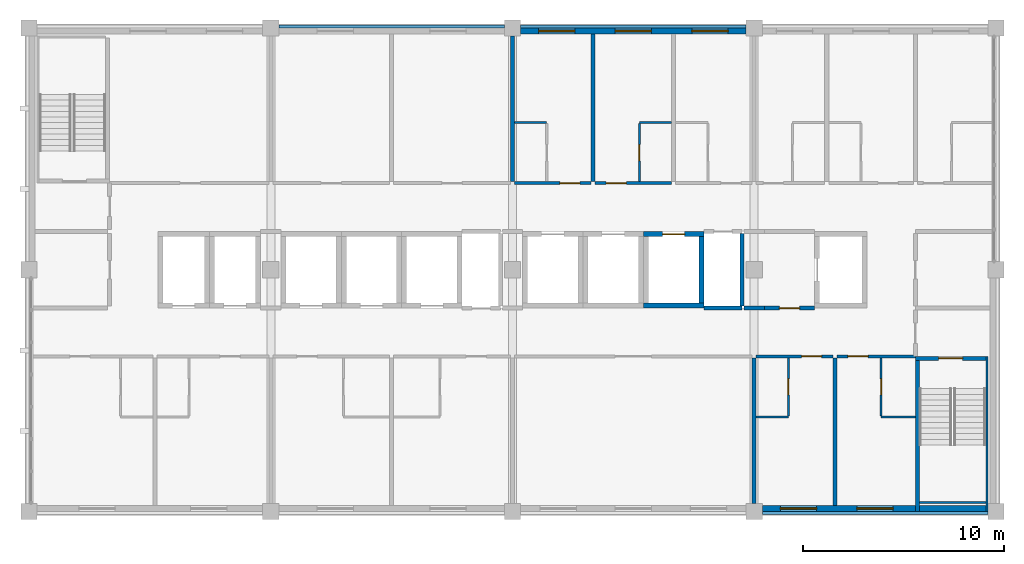
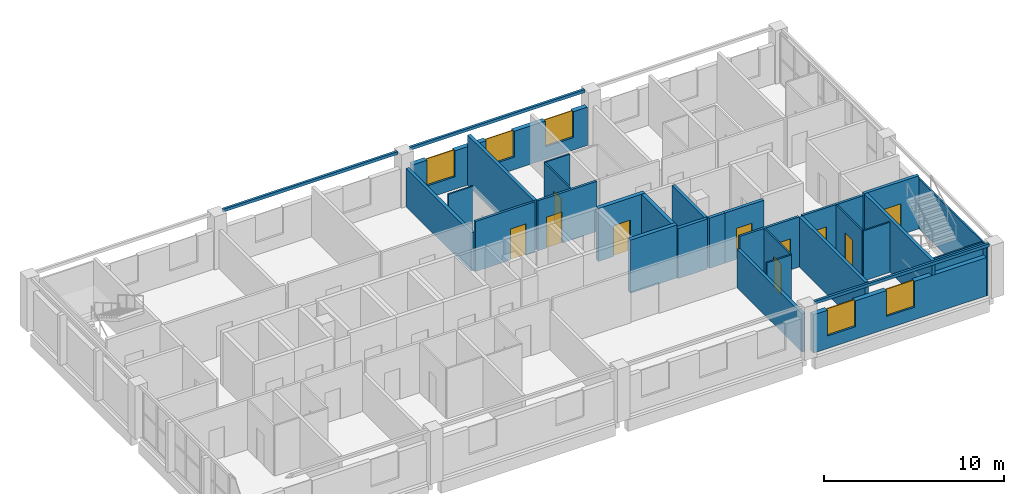
# One storey, part 8 of 11: 31 walls, 10 doors, 5 windows, 15 openings.
"""IFC4 building model written with IfcOpenShell, lengths in metres."""

from ifc_helpers import new_model, si_unit, direction, frame, frame_2d, origin, place, context, subcontext, project, spatial, rectangle, extrude, material, layer, layer_set, type_object, element, fill, save


model = new_model("IFC4")

# Units and contexts
model_context = context("Model", 3, precision=1e-05, world=origin(), true_north=direction((0.0, 1.0)))
body_context = subcontext(model_context, "Body", "Model", "MODEL_VIEW")
ifc_project = project(units=[si_unit("LENGTHUNIT", "METRE"), si_unit("AREAUNIT", "SQUARE_METRE"), si_unit("VOLUMEUNIT", "CUBIC_METRE"), si_unit("PLANEANGLEUNIT", "RADIAN"), si_unit("MASSUNIT", "GRAM", prefix="KILO")], contexts=[model_context])

# Site, building, storey
site_placement = place(None, origin())
site = spatial("IfcSite", under=ifc_project, at=site_placement, CompositionType="ELEMENT")
building_placement = place(site_placement, origin())
building = spatial("IfcBuilding", under=site, at=building_placement, Name="Lilac Gate Convention Centre", CompositionType="ELEMENT")
storey_placement = place(building_placement, frame((0.0, 0.0, 39.0)))
storey = spatial("IfcBuildingStorey", under=building, at=storey_placement, Name="L09", CompositionType="ELEMENT", Elevation=39.0)

# Walls
ifc_material_1 = material(Name="Concrete C50", Category="concrete")
ifc_layer_1 = layer(ifc_material_1, 0.10009765625)
ifc_layer_set_1 = layer_set([ifc_layer_1], Name="Concrete C50")
wall_type_1 = type_object("IfcWallType", Name="Core wall 100 C50", PredefinedType="SHEAR", material=ifc_layer_set_1)
wall_1_placement = place(storey_placement, frame((89.550048828125, 229.699951171875, 0.0), z_axis=(0.0, 0.0, 1.0), x_axis=(0.0, -1.0, 0.0)))
element("IfcWall", 1, at=wall_1_placement, inside=storey, type_object=wall_type_1, Name="CRW9 core wall TS-EX L09 1", PredefinedType="SHEAR", context=body_context, shape_type="SweptSolid", body=[
    extrude(rectangle(XDim=7.699951171875, YDim=0.10009765625, at=frame_2d((3.85009765625, 0.0))), origin(), (0.0, 0.0, 1.0), 3.39990234375),
])
wall_2_placement = place(storey_placement, frame((89.5, 222.449951171875, 0.0), z_axis=(0.0, 0.0, 1.0), x_axis=(-1.0, 0.0, 0.0)))
element("IfcWall", 2, at=wall_2_placement, inside=storey, type_object=wall_type_1, Name="CRW9 core wall TS-EX L09 2", PredefinedType="SHEAR", context=body_context, shape_type="SweptSolid", body=[
    extrude(rectangle(XDim=3.300048828125, YDim=0.10009765625, at=frame_2d((1.64990234375, 0.0))), origin(), (0.0, 0.0, 1.0), 3.39990234375),
])

# Wall, opening, door
ifc_layer_2 = layer(ifc_material_1, 0.199951171875)
ifc_layer_set_2 = layer_set([ifc_layer_2], Name="Concrete C50")
wall_type_2 = type_object("IfcWallType", Name="Core wall 200 C50", PredefinedType="SHEAR", material=ifc_layer_set_2)
wall_3_placement = place(storey_placement, frame((89.5, 229.60009765625, 0.0), z_axis=(0.0, 0.0, 1.0), x_axis=(-1.0, 0.0, 0.0)))
wall_3 = element("IfcWall", 3, at=wall_3_placement, inside=storey, type_object=wall_type_2, Name="CRW6 core wall TS-E L09 1", PredefinedType="SHEAR", context=body_context, shape_type="SweptSolid", body=[
    extrude(rectangle(XDim=3.5, YDim=0.199951171875, at=frame_2d((1.75, 0.0))), origin(), (0.0, 0.0, 1.0), 3.60009765625),
])
opening_1_placement = place(wall_3_placement, frame((1.14990234375, 0.0, 0.0)))
opening_1 = element("IfcOpeningElement", 4, at=opening_1_placement, cuts=wall_3, Name="Opening T07-046", PredefinedType="OPENING", context=body_context, shape_type="SweptSolid", body=[
    extrude(rectangle(XDim=1.199951171875, YDim=2.10009765625, at=frame_2d((0.60009765625, 1.050048828125))), frame((0.0, 0.10986328125, 0.0), z_axis=(0.0, -1.0, 0.0), x_axis=(1.0, 0.0, 0.0)), (0.0, 0.0, 1.0), 0.219970703125),
])
ifc_material_2 = material(Name="Steel Q235B", Category="steel")
door_type_1 = type_object("IfcDoorType", Name="Stair door 1200", OperationType="SINGLE_SWING_LEFT", PredefinedType="DOOR", material=ifc_material_2)
door_1_placement = place(opening_1_placement, origin())
door_1 = element("IfcDoor", 5, at=door_1_placement, inside=storey, type_object=door_type_1, Name="Stair door SE L09", OperationType="SINGLE_SWING_RIGHT", OverallHeight=2.10009765625, OverallWidth=1.199951171875, PredefinedType="DOOR", context=body_context, shape_type="SweptSolid", body=[
    extrude(rectangle(XDim=1.199951171875, YDim=2.10009765625, at=frame_2d((0.60009765625, 1.050048828125))), frame((0.0, 0.02490234375, 0.0), z_axis=(0.0, -1.0, 0.0), x_axis=(1.0, 0.0, 0.0)), (0.0, 0.0, 1.0), 0.050048828125),
])
fill(opening_1, door_1)

# Walls
wall_4_placement = place(storey_placement, frame((86.10009765625, 222.0, 0.0), z_axis=(0.0, 0.0, 1.0), x_axis=(0.0, 1.0, 0.0)))
element("IfcWall", 6, at=wall_4_placement, inside=storey, type_object=wall_type_2, Name="CRW6 core wall TS-E L09 2", PredefinedType="SHEAR", context=body_context, shape_type="SweptSolid", body=[
    extrude(rectangle(XDim=7.5, YDim=0.199951171875, at=frame_2d((3.75, 0.0))), origin(), (0.0, 0.0, 1.0), 3.60009765625),
])
ifc_layer_3 = layer(ifc_material_1, 0.25)
ifc_layer_set_3 = layer_set([ifc_layer_3], Name="Concrete C50")
wall_type_3 = type_object("IfcWallType", Name="Core wall 250 C50", PredefinedType="SHEAR", material=ifc_layer_set_3)
wall_5_placement = place(storey_placement, frame((72.5, 232.22509765625, 0.0), z_axis=(0.0, 0.0, 1.0), x_axis=(1.0, 0.0, 0.0)))
element("IfcWall", 7, at=wall_5_placement, inside=storey, type_object=wall_type_3, Name="CRW4 core wall TC L09 21", PredefinedType="SHEAR", context=body_context, shape_type="SweptSolid", body=[
    extrude(rectangle(XDim=3.0, YDim=0.25, at=frame_2d((1.5, 0.0))), origin(), (0.0, 0.0, 1.0), 3.60009765625),
])

# Wall, opening, door
wall_6_placement = place(storey_placement, frame((72.5, 235.77490234375, 0.0), z_axis=(0.0, 0.0, 1.0), x_axis=(1.0, 0.0, 0.0)))
wall_6 = element("IfcWall", 8, at=wall_6_placement, inside=storey, type_object=wall_type_3, Name="CRW4 core wall TC L09 22", PredefinedType="SHEAR", context=body_context, shape_type="SweptSolid", body=[
    extrude(rectangle(XDim=3.0, YDim=0.25, at=frame_2d((1.5, 0.0))), origin(), (0.0, 0.0, 1.0), 3.60009765625),
])
opening_2_placement = place(wall_6_placement, frame((0.949951171875, 0.0, 0.0)))
opening_2 = element("IfcOpeningElement", 9, at=opening_2_placement, cuts=wall_6, Name="Opening T07-041", PredefinedType="OPENING", context=body_context, shape_type="SweptSolid", body=[
    extrude(rectangle(XDim=1.10009765625, YDim=2.10009765625, at=frame_2d((0.550048828125, 1.050048828125))), frame((0.0, 0.135009765625, 0.0), z_axis=(0.0, -1.0, 0.0), x_axis=(1.0, 0.0, 0.0)), (0.0, 0.0, 1.0), 0.27001953125),
])
ifc_material_3 = material(Name="Stainless steel 304", Category="steel")
door_type_2 = type_object("IfcDoorType", Name="Lift landing door 1100", OperationType="SLIDING_TO_LEFT", PredefinedType="DOOR", material=ifc_material_3)
door_2_placement = place(opening_2_placement, origin())
door_2 = element("IfcDoor", 10, at=door_2_placement, inside=storey, type_object=door_type_2, Name="Lift landing door TP6 L09", OperationType="SLIDING_TO_LEFT", OverallHeight=2.10009765625, OverallWidth=1.10009765625, PredefinedType="DOOR", context=body_context, shape_type="SweptSolid", body=[
    extrude(rectangle(XDim=1.10009765625, YDim=2.10009765625, at=frame_2d((0.550048828125, 1.050048828125))), frame((0.0, 0.02490234375, 0.0), z_axis=(0.0, -1.0, 0.0), x_axis=(1.0, 0.0, 0.0)), (0.0, 0.0, 1.0), 0.050048828125),
])
fill(opening_2, door_2)

# Wall
wall_7_placement = place(storey_placement, frame((75.375, 232.35009765625, 0.0), z_axis=(0.0, 0.0, 1.0), x_axis=(0.0, 1.0, 0.0)))
element("IfcWall", 11, at=wall_7_placement, inside=storey, type_object=wall_type_3, Name="CRW4 core wall TC L09 24", PredefinedType="SHEAR", context=body_context, shape_type="SweptSolid", body=[
    extrude(rectangle(XDim=3.2998046875, YDim=0.25, at=frame_2d((1.64990234375, 0.0))), origin(), (0.0, 0.0, 1.0), 3.60009765625),
])

# Wall, opening, door
ifc_material_4 = material(Name="Gypsum board on steel stud", Category="steel")
ifc_layer_4 = layer(ifc_material_4, 0.14990234375)
ifc_layer_set_4 = layer_set([ifc_layer_4], Name="Gypsum board on steel stud")
wall_type_4 = type_object("IfcWallType", Name="Corridor wall 150", PredefinedType="PARTITIONING", material=ifc_layer_set_4)
wall_8_placement = place(storey_placement, frame((81.89990234375, 229.699951171875, 0.0), z_axis=(0.0, 0.0, 1.0), x_axis=(-1.0, 0.0, 0.0)))
wall_8 = element("IfcWall", 12, at=wall_8_placement, inside=storey, type_object=wall_type_4, Name="Corridor wall 150 front 0906", PredefinedType="PARTITIONING", context=body_context, shape_type="SweptSolid", body=[
    extrude(rectangle(XDim=3.7998046875, YDim=0.14990234375, at=frame_2d((1.89990234375, 0.0))), origin(), (0.0, 0.0, 1.0), 3.39990234375),
])
opening_3_placement = place(wall_8_placement, frame((0.550048828125, 0.0, 0.0)))
opening_3 = element("IfcOpeningElement", 13, at=opening_3_placement, cuts=wall_8, Name="Opening T07-017", PredefinedType="OPENING", context=body_context, shape_type="SweptSolid", body=[
    extrude(rectangle(XDim=1.0, YDim=2.10009765625, at=frame_2d((0.5, 1.050048828125))), frame((0.0, 0.0849609375, 0.0), z_axis=(0.0, -1.0, 0.0), x_axis=(1.0, 0.0, 0.0)), (0.0, 0.0, 1.0), 0.169921875),
])
ifc_material_5 = material(Name="Timber", Category="wood")
door_type_3 = type_object("IfcDoorType", Name="Guest room entrance door 1000", OperationType="SINGLE_SWING_LEFT", PredefinedType="DOOR", material=ifc_material_5)
door_3_placement = place(opening_3_placement, origin())
door_3 = element("IfcDoor", 14, at=door_3_placement, inside=storey, type_object=door_type_3, Name="Guest room door 0906", OperationType="SINGLE_SWING_LEFT", OverallHeight=2.10009765625, OverallWidth=1.0, PredefinedType="DOOR", context=body_context, shape_type="SweptSolid", body=[
    extrude(rectangle(XDim=1.0, YDim=2.10009765625, at=frame_2d((0.5, 1.050048828125))), frame((0.0, 0.02490234375, 0.0), z_axis=(0.0, -1.0, 0.0), x_axis=(1.0, 0.0, 0.0)), (0.0, 0.0, 1.0), 0.050048828125),
])
fill(opening_3, door_3)

wall_9_placement = place(storey_placement, frame((86.0, 229.699951171875, 0.0), z_axis=(0.0, 0.0, 1.0), x_axis=(-1.0, 0.0, 0.0)))
wall_9 = element("IfcWall", 15, at=wall_9_placement, inside=storey, type_object=wall_type_4, Name="Corridor wall 150 front 0907", PredefinedType="PARTITIONING", context=body_context, shape_type="SweptSolid", body=[
    extrude(rectangle(XDim=3.89990234375, YDim=0.14990234375, at=frame_2d((1.949951171875, 0.0))), origin(), (0.0, 0.0, 1.0), 3.39990234375),
])
opening_4_placement = place(wall_9_placement, frame((2.35009765625, 0.0, 0.0)))
opening_4 = element("IfcOpeningElement", 16, at=opening_4_placement, cuts=wall_9, Name="Opening T07-019", PredefinedType="OPENING", context=body_context, shape_type="SweptSolid", body=[
    extrude(rectangle(XDim=1.0, YDim=2.10009765625, at=frame_2d((0.5, 1.050048828125))), frame((0.0, 0.0849609375, 0.0), z_axis=(0.0, -1.0, 0.0), x_axis=(1.0, 0.0, 0.0)), (0.0, 0.0, 1.0), 0.169921875),
])
door_4_placement = place(opening_4_placement, origin())
door_4 = element("IfcDoor", 17, at=door_4_placement, inside=storey, type_object=door_type_3, Name="Guest room door 0907", OperationType="SINGLE_SWING_LEFT", OverallHeight=2.10009765625, OverallWidth=1.0, PredefinedType="DOOR", context=body_context, shape_type="SweptSolid", body=[
    extrude(rectangle(XDim=1.0, YDim=2.10009765625, at=frame_2d((0.5, 1.050048828125))), frame((0.0, 0.02490234375, 0.0), z_axis=(0.0, -1.0, 0.0), x_axis=(1.0, 0.0, 0.0)), (0.0, 0.0, 1.0), 0.050048828125),
])
fill(opening_4, door_4)

wall_10_placement = place(storey_placement, frame((66.10009765625, 238.300048828125, 0.0), z_axis=(0.0, 0.0, 1.0), x_axis=(1.0, 0.0, 0.0)))
wall_10 = element("IfcWall", 18, at=wall_10_placement, inside=storey, type_object=wall_type_4, Name="Corridor wall 150 front 0911", PredefinedType="PARTITIONING", context=body_context, shape_type="SweptSolid", body=[
    extrude(rectangle(XDim=3.7998046875, YDim=0.14990234375, at=frame_2d((1.89990234375, 0.0))), origin(), (0.0, 0.0, 1.0), 3.39990234375),
])
opening_5_placement = place(wall_10_placement, frame((2.25, 0.0, 0.0)))
opening_5 = element("IfcOpeningElement", 19, at=opening_5_placement, cuts=wall_10, Name="Opening T07-024", PredefinedType="OPENING", context=body_context, shape_type="SweptSolid", body=[
    extrude(rectangle(XDim=1.0, YDim=2.10009765625, at=frame_2d((0.5, 1.050048828125))), frame((0.0, 0.0849609375, 0.0), z_axis=(0.0, -1.0, 0.0), x_axis=(1.0, 0.0, 0.0)), (0.0, 0.0, 1.0), 0.169921875),
])
door_5_placement = place(opening_5_placement, origin())
door_5 = element("IfcDoor", 20, at=door_5_placement, inside=storey, type_object=door_type_3, Name="Guest room door 0911", OperationType="SINGLE_SWING_LEFT", OverallHeight=2.10009765625, OverallWidth=1.0, PredefinedType="DOOR", context=body_context, shape_type="SweptSolid", body=[
    extrude(rectangle(XDim=1.0, YDim=2.10009765625, at=frame_2d((0.5, 1.050048828125))), frame((0.0, 0.02490234375, 0.0), z_axis=(0.0, -1.0, 0.0), x_axis=(1.0, 0.0, 0.0)), (0.0, 0.0, 1.0), 0.050048828125),
])
fill(opening_5, door_5)

wall_11_placement = place(storey_placement, frame((70.10009765625, 238.300048828125, 0.0), z_axis=(0.0, 0.0, 1.0), x_axis=(1.0, 0.0, 0.0)))
wall_11 = element("IfcWall", 21, at=wall_11_placement, inside=storey, type_object=wall_type_4, Name="Corridor wall 150 front 0912", PredefinedType="PARTITIONING", context=body_context, shape_type="SweptSolid", body=[
    extrude(rectangle(XDim=3.7998046875, YDim=0.14990234375, at=frame_2d((1.89990234375, 0.0))), origin(), (0.0, 0.0, 1.0), 3.39990234375),
])
opening_6_placement = place(wall_11_placement, frame((0.550048828125, 0.0, 0.0)))
opening_6 = element("IfcOpeningElement", 22, at=opening_6_placement, cuts=wall_11, Name="Opening T07-026", PredefinedType="OPENING", context=body_context, shape_type="SweptSolid", body=[
    extrude(rectangle(XDim=1.0, YDim=2.10009765625, at=frame_2d((0.5, 1.050048828125))), frame((0.0, 0.0849609375, 0.0), z_axis=(0.0, -1.0, 0.0), x_axis=(1.0, 0.0, 0.0)), (0.0, 0.0, 1.0), 0.169921875),
])
door_6_placement = place(opening_6_placement, origin())
door_6 = element("IfcDoor", 23, at=door_6_placement, inside=storey, type_object=door_type_3, Name="Guest room door 0912", OperationType="SINGLE_SWING_LEFT", OverallHeight=2.10009765625, OverallWidth=1.0, PredefinedType="DOOR", context=body_context, shape_type="SweptSolid", body=[
    extrude(rectangle(XDim=1.0, YDim=2.10009765625, at=frame_2d((0.5, 1.050048828125))), frame((0.0, 0.02490234375, 0.0), z_axis=(0.0, -1.0, 0.0), x_axis=(1.0, 0.0, 0.0)), (0.0, 0.0, 1.0), 0.050048828125),
])
fill(opening_6, door_6)

# Wall
ifc_layer_5 = layer(ifc_material_4, 0.10009765625)
ifc_layer_set_5 = layer_set([ifc_layer_5], Name="Gypsum board on steel stud")
wall_type_5 = type_object("IfcWallType", Name="En-suite wall 100", PredefinedType="PARTITIONING", material=ifc_layer_set_5)
wall_12_placement = place(storey_placement, frame((78.10009765625, 226.699951171875, 0.0), z_axis=(0.0, 0.0, 1.0), x_axis=(1.0, 0.0, 0.0)))
element("IfcWall", 24, at=wall_12_placement, inside=storey, type_object=wall_type_5, Name="En-suite wall 100 bath 0906", PredefinedType="PARTITIONING", context=body_context, shape_type="SweptSolid", body=[
    extrude(rectangle(XDim=1.599853515625, YDim=0.10009765625, at=frame_2d((0.7998046875, 0.0))), origin(), (0.0, 0.0, 1.0), 3.39990234375),
])

# Wall, opening, door
wall_13_placement = place(storey_placement, frame((79.699951171875, 229.625, 0.0), z_axis=(0.0, 0.0, 1.0), x_axis=(0.0, -1.0, 0.0)))
wall_13 = element("IfcWall", 25, at=wall_13_placement, inside=storey, type_object=wall_type_5, Name="En-suite wall 100 bath side 0906", PredefinedType="PARTITIONING", context=body_context, shape_type="SweptSolid", body=[
    extrude(rectangle(XDim=2.875, YDim=0.10009765625, at=frame_2d((1.4375, 0.0))), origin(), (0.0, 0.0, 1.0), 3.39990234375),
])
opening_7_placement = place(wall_13_placement, frame((1.03759765625, 0.0, 0.0)))
opening_7 = element("IfcOpeningElement", 26, at=opening_7_placement, cuts=wall_13, Name="Opening T07-018", PredefinedType="OPENING", context=body_context, shape_type="SweptSolid", body=[
    extrude(rectangle(XDim=0.800048828125, YDim=2.10009765625, at=frame_2d((0.39990234375, 1.050048828125))), frame((0.0, 0.06005859375, 0.0), z_axis=(0.0, -1.0, 0.0), x_axis=(1.0, 0.0, 0.0)), (0.0, 0.0, 1.0), 0.1201171875),
])
door_type_4 = type_object("IfcDoorType", Name="En-suite door 800", OperationType="SINGLE_SWING_LEFT", PredefinedType="DOOR", material=ifc_material_5)
door_7_placement = place(opening_7_placement, origin())
door_7 = element("IfcDoor", 27, at=door_7_placement, inside=storey, type_object=door_type_4, Name="En-suite door 0906", OperationType="SINGLE_SWING_LEFT", OverallHeight=2.10009765625, OverallWidth=0.800048828125, PredefinedType="DOOR", context=body_context, shape_type="SweptSolid", body=[
    extrude(rectangle(XDim=0.800048828125, YDim=2.10009765625, at=frame_2d((0.39990234375, 1.050048828125))), frame((0.0, 0.02490234375, 0.0), z_axis=(0.0, -1.0, 0.0), x_axis=(1.0, 0.0, 0.0)), (0.0, 0.0, 1.0), 0.050048828125),
])
fill(opening_7, door_7)

# Wall
wall_14_placement = place(storey_placement, frame((84.300048828125, 226.699951171875, 0.0), z_axis=(0.0, 0.0, 1.0), x_axis=(1.0, 0.0, 0.0)))
element("IfcWall", 28, at=wall_14_placement, inside=storey, type_object=wall_type_5, Name="En-suite wall 100 bath 0907", PredefinedType="PARTITIONING", context=body_context, shape_type="SweptSolid", body=[
    extrude(rectangle(XDim=1.699951171875, YDim=0.10009765625, at=frame_2d((0.85009765625, 0.0))), origin(), (0.0, 0.0, 1.0), 3.39990234375),
])

# Wall, opening, door
wall_15_placement = place(storey_placement, frame((84.300048828125, 226.75, 0.0), z_axis=(0.0, 0.0, 1.0), x_axis=(0.0, 1.0, 0.0)))
wall_15 = element("IfcWall", 29, at=wall_15_placement, inside=storey, type_object=wall_type_5, Name="En-suite wall 100 bath side 0907", PredefinedType="PARTITIONING", context=body_context, shape_type="SweptSolid", body=[
    extrude(rectangle(XDim=2.875, YDim=0.10009765625, at=frame_2d((1.4375, 0.0))), origin(), (0.0, 0.0, 1.0), 3.39990234375),
])
opening_8_placement = place(wall_15_placement, frame((1.03759765625, 0.0, 0.0)))
opening_8 = element("IfcOpeningElement", 30, at=opening_8_placement, cuts=wall_15, Name="Opening T07-020", PredefinedType="OPENING", context=body_context, shape_type="SweptSolid", body=[
    extrude(rectangle(XDim=0.800048828125, YDim=2.10009765625, at=frame_2d((0.39990234375, 1.050048828125))), frame((0.0, 0.06005859375, 0.0), z_axis=(0.0, -1.0, 0.0), x_axis=(1.0, 0.0, 0.0)), (0.0, 0.0, 1.0), 0.1201171875),
])
door_8_placement = place(opening_8_placement, origin())
door_8 = element("IfcDoor", 31, at=door_8_placement, inside=storey, type_object=door_type_4, Name="En-suite door 0907", OperationType="SINGLE_SWING_RIGHT", OverallHeight=2.10009765625, OverallWidth=0.800048828125, PredefinedType="DOOR", context=body_context, shape_type="SweptSolid", body=[
    extrude(rectangle(XDim=0.800048828125, YDim=2.10009765625, at=frame_2d((0.39990234375, 1.050048828125))), frame((0.0, 0.02490234375, 0.0), z_axis=(0.0, -1.0, 0.0), x_axis=(1.0, 0.0, 0.0)), (0.0, 0.0, 1.0), 0.050048828125),
])
fill(opening_8, door_8)

# Walls
for number, where, z_axis, x_axis, name in (
    (32, (66.10009765625, 241.300048828125, 0.0), (0.0, 0.0, 1.0), (1.0, 0.0, 0.0), "En-suite wall 100 bath 0911"),
    (33, (72.300048828125, 241.300048828125, 0.0), (0.0, 0.0, 1.0), (1.0, 0.0, 0.0), "En-suite wall 100 bath 0912"),
):
    element("IfcWall", number, at=place(storey_placement, frame(where, z_axis=z_axis, x_axis=x_axis)), inside=storey, type_object=wall_type_5, Name=name, PredefinedType="PARTITIONING", context=body_context, shape_type="SweptSolid", body=[
        extrude(rectangle(XDim=1.599853515625, YDim=0.10009765625, at=frame_2d((0.7998046875, 0.0))), origin(), (0.0, 0.0, 1.0), 3.39990234375),
    ])

# Wall, opening, door
wall_16_placement = place(storey_placement, frame((72.300048828125, 238.375, 0.0), z_axis=(0.0, 0.0, 1.0), x_axis=(0.0, 1.0, 0.0)))
wall_16 = element("IfcWall", 34, at=wall_16_placement, inside=storey, type_object=wall_type_5, Name="En-suite wall 100 bath side 0912", PredefinedType="PARTITIONING", context=body_context, shape_type="SweptSolid", body=[
    extrude(rectangle(XDim=2.875, YDim=0.10009765625, at=frame_2d((1.4375, 0.0))), origin(), (0.0, 0.0, 1.0), 3.39990234375),
])
opening_9_placement = place(wall_16_placement, frame((1.03759765625, 0.0, 0.0)))
opening_9 = element("IfcOpeningElement", 35, at=opening_9_placement, cuts=wall_16, Name="Opening T07-027", PredefinedType="OPENING", context=body_context, shape_type="SweptSolid", body=[
    extrude(rectangle(XDim=0.800048828125, YDim=2.10009765625, at=frame_2d((0.39990234375, 1.050048828125))), frame((0.0, 0.06005859375, 0.0), z_axis=(0.0, -1.0, 0.0), x_axis=(1.0, 0.0, 0.0)), (0.0, 0.0, 1.0), 0.1201171875),
])
door_9_placement = place(opening_9_placement, origin())
door_9 = element("IfcDoor", 36, at=door_9_placement, inside=storey, type_object=door_type_4, Name="En-suite door 0912", OperationType="SINGLE_SWING_LEFT", OverallHeight=2.10009765625, OverallWidth=0.800048828125, PredefinedType="DOOR", context=body_context, shape_type="SweptSolid", body=[
    extrude(rectangle(XDim=0.800048828125, YDim=2.10009765625, at=frame_2d((0.39990234375, 1.050048828125))), frame((0.0, 0.02490234375, 0.0), z_axis=(0.0, -1.0, 0.0), x_axis=(1.0, 0.0, 0.0)), (0.0, 0.0, 1.0), 0.050048828125),
])
fill(opening_9, door_9)

# Walls
ifc_layer_6 = layer(ifc_material_4, 0.199951171875)
ifc_layer_set_6 = layer_set([ifc_layer_6], Name="Gypsum board on steel stud")
wall_type_6 = type_object("IfcWallType", Name="Guest room party wall 200", PredefinedType="PARTITIONING", material=ifc_layer_set_6)
wall_17_placement = place(storey_placement, frame((78.0, 222.39990234375, 0.0), z_axis=(0.0, 0.0, 1.0), x_axis=(0.0, 1.0, 0.0)))
element("IfcWall", 37, at=wall_17_placement, inside=storey, type_object=wall_type_6, Name="Guest room party wall 200 party 78.0", PredefinedType="PARTITIONING", context=body_context, shape_type="SweptSolid", body=[
    extrude(rectangle(XDim=7.22509765625, YDim=0.199951171875, at=frame_2d((3.612548828125, 0.0))), origin(), (0.0, 0.0, 1.0), 2.60009765625),
])
wall_18_placement = place(storey_placement, frame((82.0, 222.2998046875, 0.0), z_axis=(0.0, 0.0, 1.0), x_axis=(0.0, 1.0, 0.0)))
element("IfcWall", 38, at=wall_18_placement, inside=storey, type_object=wall_type_6, Name="Guest room party wall 200 party 82.0", PredefinedType="PARTITIONING", context=body_context, shape_type="SweptSolid", body=[
    extrude(rectangle(XDim=7.3251953125, YDim=0.199951171875, at=frame_2d((3.66259765625, 0.0))), origin(), (0.0, 0.0, 1.0), 3.39990234375),
])
wall_19_placement = place(storey_placement, frame((66.0, 245.60009765625, 0.0), z_axis=(0.0, 0.0, 1.0), x_axis=(0.0, -1.0, 0.0)))
element("IfcWall", 39, at=wall_19_placement, inside=storey, type_object=wall_type_6, Name="Guest room party wall 200 party 66.0", PredefinedType="PARTITIONING", context=body_context, shape_type="SweptSolid", body=[
    extrude(rectangle(XDim=7.22509765625, YDim=0.199951171875, at=frame_2d((3.612548828125, 0.0))), origin(), (0.0, 0.0, 1.0), 2.60009765625),
])
wall_20_placement = place(storey_placement, frame((70.0, 245.7001953125, 0.0), z_axis=(0.0, 0.0, 1.0), x_axis=(0.0, -1.0, 0.0)))
element("IfcWall", 40, at=wall_20_placement, inside=storey, type_object=wall_type_6, Name="Guest room party wall 200 party 70.0", PredefinedType="PARTITIONING", context=body_context, shape_type="SweptSolid", body=[
    extrude(rectangle(XDim=7.3251953125, YDim=0.199951171875, at=frame_2d((3.66259765625, 0.0))), origin(), (0.0, 0.0, 1.0), 3.39990234375),
])

# Wall, opening, door
ifc_layer_7 = layer(ifc_material_4, 0.199951171875)
ifc_layer_set_7 = layer_set([ifc_layer_7], Name="Gypsum board on steel stud")
wall_type_7 = type_object("IfcWallType", Name="Lobby wall 200", PredefinedType="PARTITIONING", material=ifc_layer_set_7)
wall_21_placement = place(storey_placement, frame((78.5, 232.10009765625, 0.0), z_axis=(0.0, 0.0, 1.0), x_axis=(1.0, 0.0, 0.0)))
wall_21 = element("IfcWall", 41, at=wall_21_placement, inside=storey, type_object=wall_type_7, Name="Lobby wall 200 FFL-S", PredefinedType="PARTITIONING", context=body_context, shape_type="SweptSolid", body=[
    extrude(rectangle(XDim=2.5, YDim=0.199951171875, at=frame_2d((1.25, 0.0))), origin(), (0.0, 0.0, 1.0), 3.39990234375),
])
opening_10_placement = place(wall_21_placement, frame((0.75, 0.0, 0.0)))
opening_10 = element("IfcOpeningElement", 42, at=opening_10_placement, cuts=wall_21, Name="Opening T07-004", PredefinedType="OPENING", context=body_context, shape_type="SweptSolid", body=[
    extrude(rectangle(XDim=1.0, YDim=2.10009765625, at=frame_2d((0.5, 1.050048828125))), frame((0.0, 0.10986328125, 0.0), z_axis=(0.0, -1.0, 0.0), x_axis=(1.0, 0.0, 0.0)), (0.0, 0.0, 1.0), 0.219970703125),
])
door_type_5 = type_object("IfcDoorType", Name="Lobby door 1000", OperationType="SINGLE_SWING_LEFT", PredefinedType="DOOR", material=ifc_material_2)
door_10_placement = place(opening_10_placement, origin())
door_10 = element("IfcDoor", 43, at=door_10_placement, inside=storey, type_object=door_type_5, Name="Firefighting lobby door", OperationType="SINGLE_SWING_RIGHT", OverallHeight=2.10009765625, OverallWidth=1.0, PredefinedType="DOOR", context=body_context, shape_type="SweptSolid", body=[
    extrude(rectangle(XDim=1.0, YDim=2.10009765625, at=frame_2d((0.5, 1.050048828125))), frame((0.0, 0.02490234375, 0.0), z_axis=(0.0, -1.0, 0.0), x_axis=(1.0, 0.0, 0.0)), (0.0, 0.0, 1.0), 0.050048828125),
])
fill(opening_10, door_10)

# Walls
ifc_material_6 = material(Name="Concrete C40 precast", Category="concrete")
ifc_layer_8 = layer(ifc_material_6, 0.1298828125)
ifc_material_7 = material(Name="Terracotta glazed cladding", Category="masonry")
ifc_layer_9 = layer(ifc_material_7, 0.02001953125)
ifc_layer_set_8 = layer_set([ifc_layer_8, ifc_layer_9], Name="Concrete C40 precast, Terracotta glazed cladding")
wall_type_8 = type_object("IfcWallType", Name="Precast band terracotta 150", PredefinedType="STANDARD", material=ifc_layer_set_8)
for number, where, z_axis, x_axis, name in (
    (44, (78.39990234375, 221.925048828125, 3.39990234375), (0.0, 0.0, 1.0), (1.0, 0.0, 0.0), "Precast band S L09 4"),
    (45, (77.60009765625, 246.074951171875, 3.39990234375), (0.0, 0.0, 1.0), (-1.0, 0.0, 0.0), "Precast band N L09 2"),
    (46, (65.60009765625, 246.074951171875, 3.39990234375), (0.0, 0.0, 1.0), (-1.0, 0.0, 0.0), "Precast band N L09 3"),
):
    element("IfcWall", number, at=place(storey_placement, frame(where, z_axis=z_axis, x_axis=x_axis)), inside=storey, type_object=wall_type_8, Name=name, PredefinedType="STANDARD", context=body_context, shape_type="SweptSolid", body=[
        extrude(rectangle(XDim=11.2001953125, YDim=0.14990234375, at=frame_2d((5.60009765625, 0.0))), origin(), (0.0, 0.0, 1.0), 0.2001953125),
    ])

# Wall, openings, windows
ifc_layer_10 = layer(ifc_material_7, 0.02001953125)
ifc_layer_11 = layer(ifc_material_6, 0.06005859375)
ifc_material_8 = material(Name="Ventilated air cavity")
ifc_layer_12 = layer(ifc_material_8, 0.030029296875)
ifc_material_9 = material(Name="Mineral wool insulation")
ifc_layer_13 = layer(ifc_material_9, 0.1201171875)
ifc_material_10 = material(Name="Steel stud Q345 and gypsum lining", Category="steel")
ifc_layer_14 = layer(ifc_material_10, 0.070068359375)
ifc_layer_set_9 = layer_set([ifc_layer_10, ifc_layer_11, ifc_layer_12, ifc_layer_13, ifc_layer_14], Name="Terracotta glazed cladding, Concrete C40 precast, Ventilated air cavity, Mineral wool insulation, Steel stud Q345 and gypsum lining")
wall_type_9 = type_object("IfcWallType", Name="Precast panel wall terracotta 300", PredefinedType="STANDARD", material=ifc_layer_set_9)
wall_22_placement = place(storey_placement, frame((78.39990234375, 222.14990234375, 0.0), z_axis=(0.0, 0.0, 1.0), x_axis=(1.0, 0.0, 0.0)))
wall_22 = element("IfcWall", 47, at=wall_22_placement, inside=storey, type_object=wall_type_9, Name="External wall S L09 4", PredefinedType="STANDARD", context=body_context, shape_type="SweptSolid", body=[
    extrude(rectangle(XDim=11.2001953125, YDim=0.300048828125, at=frame_2d((5.60009765625, 0.0))), origin(), (0.0, 0.0, 1.0), 2.60009765625),
])
opening_11_placement = place(wall_22_placement, frame((0.89990234375, 0.0, 0.85009765625)))
opening_11 = element("IfcOpeningElement", 48, at=opening_11_placement, cuts=wall_22, Name="Opening W1", PredefinedType="OPENING", context=body_context, shape_type="SweptSolid", body=[
    extrude(rectangle(XDim=1.800048828125, YDim=1.75, at=frame_2d((0.89990234375, 0.875))), frame((0.0, 0.159912109375, 0.0), z_axis=(0.0, -1.0, 0.0), x_axis=(1.0, 0.0, 0.0)), (0.0, 0.0, 1.0), 0.320068359375),
])
opening_12_placement = place(wall_22_placement, frame((4.699951171875, 0.0, 0.85009765625)))
opening_12 = element("IfcOpeningElement", 49, at=opening_12_placement, cuts=wall_22, Name="Opening W1", PredefinedType="OPENING", context=body_context, shape_type="SweptSolid", body=[
    extrude(rectangle(XDim=1.800048828125, YDim=1.75, at=frame_2d((0.89990234375, 0.875))), frame((0.0, 0.159912109375, 0.0), z_axis=(0.0, -1.0, 0.0), x_axis=(1.0, 0.0, 0.0)), (0.0, 0.0, 1.0), 0.320068359375),
])
ifc_material_11 = material(Name="Aluminium framed double glazing", Category="aluminium")
window_type = type_object("IfcWindowType", Name="Guest room window 1800 x 1750", PartitioningType="DOUBLE_PANEL_VERTICAL", PredefinedType="WINDOW", material=ifc_material_11)
window_1_placement = place(opening_11_placement, origin())
window_1 = element("IfcWindow", 50, at=window_1_placement, inside=storey, type_object=window_type, Name="Window Guest S L09", OverallHeight=1.75, OverallWidth=1.800048828125, PartitioningType="SINGLE_PANEL", PredefinedType="WINDOW", context=body_context, shape_type="SweptSolid", body=[
    extrude(rectangle(XDim=1.800048828125, YDim=1.75, at=frame_2d((0.89990234375, 0.875))), frame((0.0, 0.030029296875, 0.0), z_axis=(0.0, -1.0, 0.0), x_axis=(1.0, 0.0, 0.0)), (0.0, 0.0, 1.0), 0.06005859375),
])
fill(opening_11, window_1)
window_2_placement = place(opening_12_placement, origin())
window_2 = element("IfcWindow", 51, at=window_2_placement, inside=storey, type_object=window_type, Name="Window Guest S L09", OverallHeight=1.75, OverallWidth=1.800048828125, PartitioningType="SINGLE_PANEL", PredefinedType="WINDOW", context=body_context, shape_type="SweptSolid", body=[
    extrude(rectangle(XDim=1.800048828125, YDim=1.75, at=frame_2d((0.89990234375, 0.875))), frame((0.0, 0.030029296875, 0.0), z_axis=(0.0, -1.0, 0.0), x_axis=(1.0, 0.0, 0.0)), (0.0, 0.0, 1.0), 0.06005859375),
])
fill(opening_12, window_2)

wall_23_placement = place(storey_placement, frame((77.60009765625, 245.85009765625, 0.0), z_axis=(0.0, 0.0, 1.0), x_axis=(-1.0, 0.0, 0.0)))
wall_23 = element("IfcWall", 52, at=wall_23_placement, inside=storey, type_object=wall_type_9, Name="External wall N L09 2", PredefinedType="STANDARD", context=body_context, shape_type="SweptSolid", body=[
    extrude(rectangle(XDim=11.2001953125, YDim=0.300048828125, at=frame_2d((5.60009765625, 0.0))), origin(), (0.0, 0.0, 1.0), 2.60009765625),
])
opening_13_placement = place(wall_23_placement, frame((8.5, 0.0, 0.85009765625)))
opening_13 = element("IfcOpeningElement", 53, at=opening_13_placement, cuts=wall_23, Name="Opening W1", PredefinedType="OPENING", context=body_context, shape_type="SweptSolid", body=[
    extrude(rectangle(XDim=1.800048828125, YDim=1.75, at=frame_2d((0.89990234375, 0.875))), frame((0.0, 0.159912109375, 0.0), z_axis=(0.0, -1.0, 0.0), x_axis=(1.0, 0.0, 0.0)), (0.0, 0.0, 1.0), 0.320068359375),
])
opening_14_placement = place(wall_23_placement, frame((4.699951171875, 0.0, 0.85009765625)))
opening_14 = element("IfcOpeningElement", 54, at=opening_14_placement, cuts=wall_23, Name="Opening W1", PredefinedType="OPENING", context=body_context, shape_type="SweptSolid", body=[
    extrude(rectangle(XDim=1.800048828125, YDim=1.75, at=frame_2d((0.89990234375, 0.875))), frame((0.0, 0.159912109375, 0.0), z_axis=(0.0, -1.0, 0.0), x_axis=(1.0, 0.0, 0.0)), (0.0, 0.0, 1.0), 0.320068359375),
])
opening_15_placement = place(wall_23_placement, frame((0.89990234375, 0.0, 0.85009765625)))
opening_15 = element("IfcOpeningElement", 55, at=opening_15_placement, cuts=wall_23, Name="Opening W1", PredefinedType="OPENING", context=body_context, shape_type="SweptSolid", body=[
    extrude(rectangle(XDim=1.800048828125, YDim=1.75, at=frame_2d((0.89990234375, 0.875))), frame((0.0, 0.159912109375, 0.0), z_axis=(0.0, -1.0, 0.0), x_axis=(1.0, 0.0, 0.0)), (0.0, 0.0, 1.0), 0.320068359375),
])
window_3_placement = place(opening_13_placement, origin())
window_3 = element("IfcWindow", 56, at=window_3_placement, inside=storey, type_object=window_type, Name="Window Guest N L09", OverallHeight=1.75, OverallWidth=1.800048828125, PartitioningType="SINGLE_PANEL", PredefinedType="WINDOW", context=body_context, shape_type="SweptSolid", body=[
    extrude(rectangle(XDim=1.800048828125, YDim=1.75, at=frame_2d((0.89990234375, 0.875))), frame((0.0, 0.030029296875, 0.0), z_axis=(0.0, -1.0, 0.0), x_axis=(1.0, 0.0, 0.0)), (0.0, 0.0, 1.0), 0.06005859375),
])
fill(opening_13, window_3)
window_4_placement = place(opening_14_placement, origin())
window_4 = element("IfcWindow", 57, at=window_4_placement, inside=storey, type_object=window_type, Name="Window Guest N L09", OverallHeight=1.75, OverallWidth=1.800048828125, PartitioningType="SINGLE_PANEL", PredefinedType="WINDOW", context=body_context, shape_type="SweptSolid", body=[
    extrude(rectangle(XDim=1.800048828125, YDim=1.75, at=frame_2d((0.89990234375, 0.875))), frame((0.0, 0.030029296875, 0.0), z_axis=(0.0, -1.0, 0.0), x_axis=(1.0, 0.0, 0.0)), (0.0, 0.0, 1.0), 0.06005859375),
])
fill(opening_14, window_4)
window_5_placement = place(opening_15_placement, origin())
window_5 = element("IfcWindow", 58, at=window_5_placement, inside=storey, type_object=window_type, Name="Window Guest N L09", OverallHeight=1.75, OverallWidth=1.800048828125, PartitioningType="SINGLE_PANEL", PredefinedType="WINDOW", context=body_context, shape_type="SweptSolid", body=[
    extrude(rectangle(XDim=1.800048828125, YDim=1.75, at=frame_2d((0.89990234375, 0.875))), frame((0.0, 0.030029296875, 0.0), z_axis=(0.0, -1.0, 0.0), x_axis=(1.0, 0.0, 0.0)), (0.0, 0.0, 1.0), 0.06005859375),
])
fill(opening_15, window_5)

# Walls
ifc_layer_15 = layer(ifc_material_4, 0.199951171875)
ifc_layer_set_10 = layer_set([ifc_layer_15], Name="Gypsum board on steel stud")
wall_type_10 = type_object("IfcWallType", Name="Riser and store wall 200", PredefinedType="PARTITIONING", material=ifc_layer_set_10)
wall_24_placement = place(storey_placement, frame((75.5, 232.10009765625, 0.0), z_axis=(0.0, 0.0, 1.0), x_axis=(1.0, 0.0, 0.0)))
element("IfcWall", 59, at=wall_24_placement, inside=storey, type_object=wall_type_10, Name="Riser and store wall 200 RS2-S", PredefinedType="PARTITIONING", context=body_context, shape_type="SweptSolid", body=[
    extrude(rectangle(XDim=1.89990234375, YDim=0.199951171875, at=frame_2d((0.949951171875, 0.0))), origin(), (0.0, 0.0, 1.0), 3.39990234375),
])
wall_25_placement = place(storey_placement, frame((77.5, 232.10009765625, 0.0), z_axis=(0.0, 0.0, 1.0), x_axis=(1.0, 0.0, 0.0)))
element("IfcWall", 60, at=wall_25_placement, inside=storey, type_object=wall_type_10, Name="Riser and store wall 200 NICHE3-S", PredefinedType="PARTITIONING", context=body_context, shape_type="SweptSolid", body=[
    extrude(rectangle(XDim=1.0, YDim=0.199951171875, at=frame_2d((0.5, 0.0))), origin(), (0.0, 0.0, 1.0), 3.39990234375),
])
wall_26_placement = place(storey_placement, frame((77.39990234375, 232.199951171875, 0.0), z_axis=(0.0, 0.0, 1.0), x_axis=(0.0, 1.0, 0.0)))
element("IfcWall", 61, at=wall_26_placement, inside=storey, type_object=wall_type_10, Name="Riser and store wall 200 RS2-E", PredefinedType="PARTITIONING", context=body_context, shape_type="SweptSolid", body=[
    extrude(rectangle(XDim=3.60009765625, YDim=0.199951171875, at=frame_2d((1.800048828125, 0.0))), origin(), (0.0, 0.0, 1.0), 3.39990234375),
])

save(model, "model.ifc")
